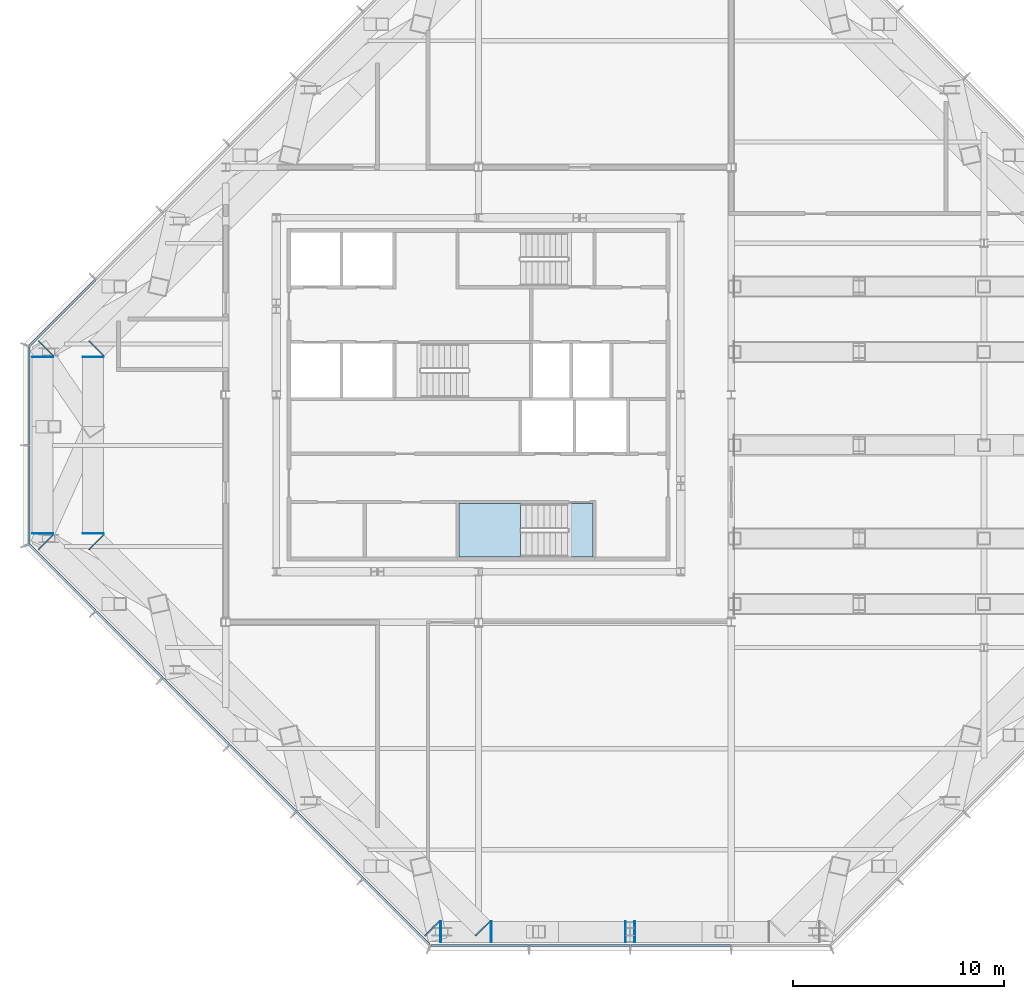
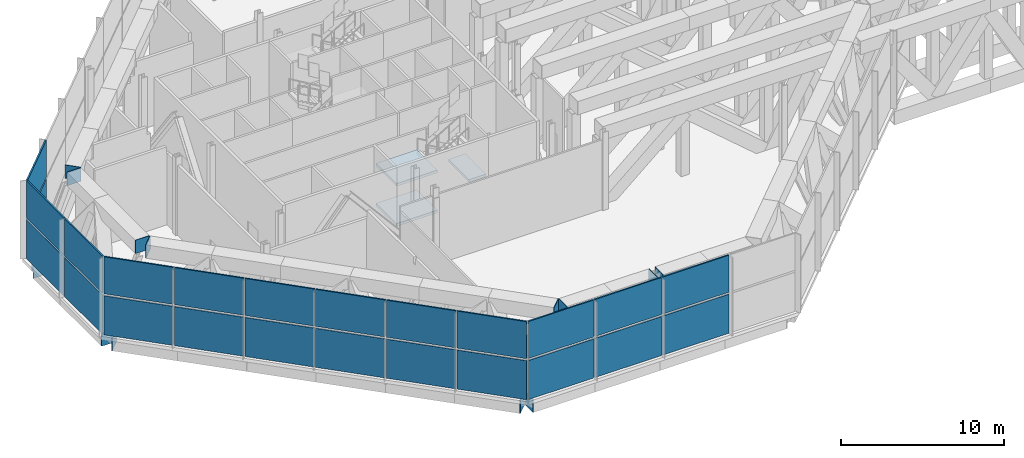
# One storey, part 10 of 18: 38 plates, 3 slabs, 5 elements without a shape of their own.
"""IFC4 building model written with IfcOpenShell, lengths in metres."""

import ifcopenshell
import ifcopenshell.guid

model = None  # the IFC model being written
_history = None  # IfcOwnerHistory: only IFC2X3 demands one
_inside = {}  # id of a spatial element -> (the spatial element, [elements in it])
_under = {}  # id of a project, library or spatial element -> (it, [spatial elements below it])
_declared = {}  # id of a project -> (the project, [libraries it declares])
_typed = {}  # id of a type object -> (the type object, [elements of that type])
_made_of = {}  # id of a material, layer set ... -> (it, [elements and type objects made of it])


def new_model(schema):
    """Start an empty IFC model of exactly this schema.

    Asked for "IFC4X3", IfcOpenShell would pick the latest addendum, in which some entities
    have other attributes; the version numbers below select the first issue.
    IFC2X3 requires an IfcOwnerHistory on every rooted entity: one is made here for all.
    """
    global model, _history
    if schema == "IFC4X3":
        model = ifcopenshell.file(schema_version=(4, 3, 0, 0))
    else:
        model = ifcopenshell.file(schema=schema)
    _inside.clear()
    _under.clear()
    _declared.clear()
    _typed.clear()
    _made_of.clear()
    _history = None
    if model.schema == "IFC2X3":
        org = make("IfcOrganization", Name="unknown")
        user = make(
            "IfcPersonAndOrganization",
            ThePerson=make("IfcPerson", FamilyName="unknown"),
            TheOrganization=org,
        )
        app = make(
            "IfcApplication",
            ApplicationDeveloper=org,
            Version="unknown",
            ApplicationFullName="unknown",
            ApplicationIdentifier="unknown",
        )
        _history = make(
            "IfcOwnerHistory",
            OwningUser=user,
            OwningApplication=app,
            ChangeAction="ADDED",
            CreationDate=0,
        )
    return model


def make(cls, **values):
    """One entity of the class cls with the attributes given. An attribute that is None is left unset."""
    return model.create_entity(
        cls, **{name: value for name, value in values.items() if value is not None}
    )


def rooted(cls, **values):
    """An entity with a GlobalId (a new one), such as an element, a storey or a relation."""
    return make(cls, GlobalId=ifcopenshell.guid.new(), OwnerHistory=_history, **values)


def si_unit(unit_type, name, prefix=None):
    """IfcSIUnit, for example si_unit("LENGTHUNIT", "METRE", prefix="MILLI")."""
    return make("IfcSIUnit", UnitType=unit_type, Prefix=prefix, Name=name)


def assignment(units):
    """IfcUnitAssignment: the units of a project."""
    return None if units is None else make("IfcUnitAssignment", Units=units)


def point(xyz):
    """IfcCartesianPoint."""
    return None if xyz is None else make("IfcCartesianPoint", Coordinates=xyz)


def direction(xyz):
    """IfcDirection."""
    return None if xyz is None else make("IfcDirection", DirectionRatios=xyz)


def frame(location, z_axis=None, x_axis=None):
    """IfcAxis2Placement3D, a coordinate frame: its origin and axes. An axis left out is left unset."""
    return make(
        "IfcAxis2Placement3D",
        Location=point(location),
        Axis=direction(z_axis),
        RefDirection=direction(x_axis),
    )


def frame_2d(location, x_axis=None):
    """IfcAxis2Placement2D, a coordinate frame in the plane: its origin and x axis."""
    return make(
        "IfcAxis2Placement2D", Location=point(location), RefDirection=direction(x_axis)
    )


def origin():
    """The frame at (0, 0, 0) with its axes left unset."""
    return frame((0.0, 0.0, 0.0))


def origin_2d():
    """The frame at (0, 0) in the plane with its x axis left unset."""
    return frame_2d((0.0, 0.0))


def place(relative_to, where):
    """IfcLocalPlacement: puts the frame where relative to a parent placement (None: the world)."""
    return make(
        "IfcLocalPlacement", PlacementRelTo=relative_to, RelativePlacement=where
    )


def context(
    kind, dimensions, precision=None, world=None, true_north=None, identifier=None
):
    """IfcGeometricRepresentationContext, for example the 3D "Model" context."""
    return make(
        "IfcGeometricRepresentationContext",
        ContextIdentifier=identifier,
        ContextType=kind,
        CoordinateSpaceDimension=dimensions,
        Precision=precision,
        WorldCoordinateSystem=world,
        TrueNorth=true_north,
    )


def subcontext(parent, identifier, kind, view, scale=None):
    """IfcGeometricRepresentationSubContext, for example "Body" below "Model"."""
    return make(
        "IfcGeometricRepresentationSubContext",
        ContextIdentifier=identifier,
        ContextType=kind,
        ParentContext=parent,
        TargetScale=scale,
        TargetView=view,
    )


def project(units=None, contexts=None):
    """IfcProject with its units and contexts."""
    return rooted(
        "IfcProject",
        Name="project",
        RepresentationContexts=contexts,
        UnitsInContext=assignment(units),
    )


def spatial(cls, under=None, at=None, **own):
    """A site, building, storey or space (cls), placed at a placement, below another one or the project."""
    s = rooted(cls, ObjectPlacement=at, **own)
    if under is not None:
        _under.setdefault(under.id(), (under, []))[1].append(s)
    return s


def polyline(points):
    """IfcPolyline through the points."""
    return make("IfcPolyline", Points=[point(p) for p in points])


def profile(cls, at=None, kind="AREA", **sizes):
    """A parametric profile (cls). Its sizes go by their IFC names, for example OverallWidth=200.0."""
    return make(cls, ProfileType=kind, Position=at, **sizes)


def rectangle(**sizes):
    """IfcRectangleProfileDef."""
    return profile("IfcRectangleProfileDef", **sizes)


def outline(outer, holes=None, kind="AREA"):
    """IfcArbitraryClosedProfileDef: a profile drawn as a closed curve; with holes, ...WithVoids."""
    if holes is None:
        return make("IfcArbitraryClosedProfileDef", ProfileType=kind, OuterCurve=outer)
    return make(
        "IfcArbitraryProfileDefWithVoids",
        ProfileType=kind,
        OuterCurve=outer,
        InnerCurves=holes,
    )


def extrude(swept, where, along, depth):
    """IfcExtrudedAreaSolid: the profile swept, set in the frame where, extruded along a direction by depth."""
    return make(
        "IfcExtrudedAreaSolid",
        SweptArea=swept,
        Position=where,
        ExtrudedDirection=direction(along),
        Depth=depth,
    )


def shape(context_of_items, identifier, shape_type, items):
    """IfcShapeRepresentation: the items that make up one representation, for example the "Body"."""
    return make(
        "IfcShapeRepresentation",
        ContextOfItems=context_of_items,
        RepresentationIdentifier=identifier,
        RepresentationType=shape_type,
        Items=items,
    )


def material(Name=None, Category=None):
    """IfcMaterial."""
    return make("IfcMaterial", Name=Name, Category=Category)


def layer(
    of_material, thickness, ventilated=None, Name=None, Category=None, Priority=None
):
    """IfcMaterialLayer: one layer of a wall or slab, of a material (None: an air gap)."""
    return make(
        "IfcMaterialLayer",
        Material=of_material,
        LayerThickness=thickness,
        IsVentilated=ventilated,
        Name=Name,
        Category=Category,
        Priority=Priority,
    )


def layer_set(layers, Name=None):
    """IfcMaterialLayerSet."""
    return make("IfcMaterialLayerSet", MaterialLayers=layers, LayerSetName=Name)


def material_profile(
    of_material, cross_section, Name=None, Category=None, Priority=None
):
    """IfcMaterialProfile: a cross section and its material."""
    return make(
        "IfcMaterialProfile",
        Name=Name,
        Material=of_material,
        Profile=cross_section,
        Priority=Priority,
        Category=Category,
    )


def profile_set(profiles, Name=None, composite=None):
    """IfcMaterialProfileSet."""
    return make(
        "IfcMaterialProfileSet",
        Name=Name,
        MaterialProfiles=profiles,
        CompositeProfile=composite,
    )


def made_of(thing, what):
    """Note that an element or type object is made of a material, layer set ...; save() writes the relation."""
    if what is not None:
        _made_of.setdefault(what.id(), (what, []))[1].append(thing)
    return thing


def type_object(cls, material=None, **own):
    """A type object (cls), such as IfcWallType, which elements share."""
    return made_of(rooted(cls, **own), material)


def element(
    cls,
    number,
    at=None,
    inside=None,
    cuts=None,
    type_object=None,
    material=None,
    context=None,
    identifier="Body",
    shape_type=None,
    held_by="IfcProductDefinitionShape",
    body=None,
    shapes=None,
    **own,
):
    """One element of the class cls, such as IfcWall. Its Tag is "e" and its number.

    at: its placement. inside: the storey or other place that contains it. cuts: it is an
    opening in that element (IfcRelVoidsElement). A single representation is given by context,
    identifier, shape_type and body (its items); several are given by shapes. held_by: the class
    of the entity that holds the representations. save() writes the other relations.
    """
    e = rooted(cls, Tag="e%d" % number, ObjectPlacement=at, **own)
    if body is not None:
        shapes = [shape(context, identifier, shape_type, body)]
    if shapes is not None:
        e.Representation = make(held_by, Representations=shapes)
    if inside is not None:
        _inside.setdefault(inside.id(), (inside, []))[1].append(e)
    if cuts is not None:
        rooted(
            "IfcRelVoidsElement", RelatingBuildingElement=cuts, RelatedOpeningElement=e
        )
    if type_object is not None:
        _typed.setdefault(type_object.id(), (type_object, []))[1].append(e)
    return made_of(e, material)


def aggregate(whole, parts):
    """IfcRelAggregates: a whole, such as a stair, and the parts it consists of."""
    return rooted("IfcRelAggregates", RelatingObject=whole, RelatedObjects=parts)


def save(model, path):
    """Write the relations noted so far, then the file.

    IfcRelAggregates (storeys below a building ...), IfcRelContainedInSpatialStructure (elements
    in a storey), IfcRelDefinesByType, IfcRelAssociatesMaterial and IfcRelDeclares: one each for
    every whole, place, type object, material and project.
    """
    for whole, parts in _under.values():
        aggregate(whole, parts)
    for where, things in _inside.values():
        rooted(
            "IfcRelContainedInSpatialStructure",
            RelatedElements=things,
            RelatingStructure=where,
        )
    for kind, things in _typed.values():
        rooted("IfcRelDefinesByType", RelatedObjects=things, RelatingType=kind)
    for what, things in _made_of.values():
        rooted("IfcRelAssociatesMaterial", RelatedObjects=things, RelatingMaterial=what)
    for by, libraries in _declared.values():
        rooted("IfcRelDeclares", RelatingContext=by, RelatedDefinitions=libraries)
    model.write(path)


model = new_model("IFC4")

# Units and contexts
model_context = context("Model", 3, precision=1e-05, world=origin(), true_north=direction((0.0, 1.0)))
body_context = subcontext(model_context, "Body", "Model", "MODEL_VIEW")
ifc_project = project(units=[si_unit("LENGTHUNIT", "METRE"), si_unit("AREAUNIT", "SQUARE_METRE"), si_unit("VOLUMEUNIT", "CUBIC_METRE"), si_unit("PLANEANGLEUNIT", "RADIAN"), si_unit("MASSUNIT", "GRAM", prefix="KILO")], contexts=[model_context])

# Site, building, storey
site_placement = place(None, origin())
site = spatial("IfcSite", under=ifc_project, at=site_placement, CompositionType="ELEMENT")
building_placement = place(site_placement, origin())
building = spatial("IfcBuilding", under=site, at=building_placement, Name="Cairn Pilgrim Tower", CompositionType="ELEMENT")
storey_placement = place(building_placement, frame((0.0, 0.0, 261.0)))
storey = spatial("IfcBuildingStorey", under=building, at=storey_placement, Name="L67", CompositionType="ELEMENT", Elevation=261.0)

# Plates
ifc_material_1 = material(Name="Structural steel S460M", Category="steel")
ifc_material_profile = material_profile(ifc_material_1, rectangle(XDim=1.0, YDim=1.0, at=origin_2d()), Name="END PLATE BOX 1000x1000x60")
ifc_profile_set = profile_set([ifc_material_profile], Name="Structural steel S460M")
plate_type_1 = type_object("IfcPlateType", Name="END PLATE BOX 1000x1000x60", PredefinedType="SHEET", material=ifc_profile_set)
for number, where, z_axis, x_axis, name in (
    (1, (5.429931640625, -23.10009765625, -0.75), (-1.0, 0.0, 0.0), (0.0, -1.0, 0.0), "EP-BT67-S-BC1-A"),
    (2, (7.829833984375, -23.10009765625, 5.35009765625), (-1.0, 0.0, 0.0), (0.0, -1.0, 0.0), "EP-BT67-S-TC1-A"),
    (3, (14.160400390625, -23.10009765625, 5.35009765625), (1.0, 0.0, 0.0), (0.0, 1.0, 0.0), "EP-BT67-S-TC2-B"),
):
    element("IfcPlate", number, at=place(storey_placement, frame(where, z_axis=z_axis, x_axis=x_axis)), inside=storey, type_object=plate_type_1, Name=name, PredefinedType="SHEET", context=body_context, shape_type="SweptSolid", body=[
        extrude(rectangle(XDim=1.0, YDim=1.0, at=origin_2d()), origin(), (0.0, 0.0, 1.0), 0.0400390625),
    ])
for number, where, z_axis, x_axis, name in (
    (4, (14.639404296875, -23.10009765625, 5.35009765625), (-1.0, 0.0, 0.0), (0.0, -1.0, 0.0), "EP-BT67-S-TC3-A"),
    (5, (-13.318115234375, 4.60888671875, -0.75), (-0.710161195225, -0.704039115956, 0.0), (0.704039115956, -0.710161195225, 0.0), "EP-BT67-NW-BC6-B"),
    (6, (-10.918212890625, 4.60888671875, 5.35009765625), (-0.710161195225, -0.704039115956, 0.0), (0.704039115956, -0.710161195225, 0.0), "EP-BT67-NW-TC6-B"),
):
    element("IfcPlate", number, at=place(storey_placement, frame(where, z_axis=z_axis, x_axis=x_axis)), inside=storey, type_object=plate_type_1, Name=name, PredefinedType="SHEET", context=body_context, shape_type="SweptSolid", body=[
        extrude(rectangle(XDim=1.0, YDim=1.0, at=origin_2d()), origin(), (0.0, 0.0, 1.0), 0.039794921875),
    ])
for number, where, z_axis, x_axis, name in (
    (7, (-13.5, 4.170166015625, -0.75), (0.0, 1.0, 0.0), (-1.0, 0.0, 0.0), "EP-BT67-W-BC1-A"),
    (8, (-11.10009765625, 4.170166015625, 5.35009765625), (0.0, 1.0, 0.0), (-1.0, 0.0, 0.0), "EP-BT67-W-TC1-A"),
    (9, (-13.5, -4.170166015625, -0.75), (0.0, -1.0, 0.0), (1.0, 0.0, 0.0), "EP-BT67-W-BC2-B"),
    (10, (-11.10009765625, -4.170166015625, 5.35009765625), (0.0, -1.0, 0.0), (1.0, 0.0, 0.0), "EP-BT67-W-TC2-B"),
):
    element("IfcPlate", number, at=place(storey_placement, frame(where, z_axis=z_axis, x_axis=x_axis)), inside=storey, type_object=plate_type_1, Name=name, PredefinedType="SHEET", context=body_context, shape_type="SweptSolid", body=[
        extrude(rectangle(XDim=1.0, YDim=1.0, at=origin_2d()), origin(), (0.0, 0.0, 1.0), 0.0400390625),
    ])
for number, where, z_axis, x_axis, name in (
    (11, (-13.318115234375, -4.60888671875, -0.75), (-0.710161195225, 0.704039115956, 0.0), (-0.704039115956, -0.710161195225, 0.0), "EP-BT67-SW-BC1-A"),
    (12, (-10.918212890625, -4.60888671875, 5.35009765625), (-0.710161195225, 0.704039115956, 0.0), (-0.704039115956, -0.710161195225, 0.0), "EP-BT67-SW-TC1-A"),
):
    element("IfcPlate", number, at=place(storey_placement, frame(where, z_axis=z_axis, x_axis=x_axis)), inside=storey, type_object=plate_type_1, Name=name, PredefinedType="SHEET", context=body_context, shape_type="SweptSolid", body=[
        extrude(rectangle(XDim=1.0, YDim=1.0, at=origin_2d()), origin(), (0.0, 0.0, 1.0), 0.039794921875),
    ])
plate_1_placement = place(storey_placement, frame((4.990966796875, -22.918212890625, -0.75), z_axis=(0.707106781187, -0.707106781187, 0.0), x_axis=(0.707106781187, 0.707106781187, 0.0)))
element("IfcPlate", 13, at=plate_1_placement, inside=storey, type_object=plate_type_1, Name="EP-BT67-SW-BC6-B", PredefinedType="SHEET", context=body_context, shape_type="SweptSolid", body=[
    extrude(rectangle(XDim=1.0, YDim=1.0, at=origin_2d()), origin(), (0.0, 0.0, 1.0), 0.0400390625),
])
plate_2_placement = place(storey_placement, frame((7.39111328125, -22.918212890625, 5.35009765625), z_axis=(0.704039115956, -0.710161195225, 0.0), x_axis=(0.710161195225, 0.704039115956, 0.0)))
element("IfcPlate", 14, at=plate_2_placement, inside=storey, type_object=plate_type_1, Name="EP-BT67-SW-TC6-B", PredefinedType="SHEET", context=body_context, shape_type="SweptSolid", body=[
    extrude(rectangle(XDim=1.0, YDim=1.0, at=origin_2d()), origin(), (0.0, 0.0, 1.0), 0.039794921875),
])

# Curtain wall, plate
ifc_material_2 = material(Name="Aluminium alloy 6063-T6 bronze anodised with Bronze tinted laminated low-E glass 8+16+8.8", Category="aluminium")
curtain_wall_type = type_object("IfcCurtainWallType", Name="PLANT LOUVRE CURTAIN WALL", PredefinedType="NOTDEFINED", material=ifc_material_2)
curtain_wall_1_placement = place(storey_placement, origin())
curtain_wall_1 = element("IfcCurtainWall", 15, at=curtain_wall_1_placement, inside=storey, type_object=curtain_wall_type, Name="Plant Louvre Curtain Wall NW", PredefinedType="NOTDEFINED")
ifc_material_3 = material(Name="Bronze anodised aluminium louvre blades", Category="aluminium")
ifc_layer_1 = layer(ifc_material_3, 0.10009765625)
ifc_layer_set_1 = layer_set([ifc_layer_1], Name="LOUVRE PANEL 4421x2775")
plate_type_2 = type_object("IfcPlateType", Name="LOUVRE PANEL 4421x2775", PredefinedType="CURTAIN_PANEL", material=ifc_layer_set_1)
plate_3_placement = place(storey_placement, frame((-12.55859375, 6.287841796875, 3.074951171875), z_axis=(0.0, 0.0, 1.0), x_axis=(-0.707106781187, -0.707106781187, 0.0)))
plate_3 = element("IfcPlate", 16, at=plate_3_placement, type_object=plate_type_2, Name="Louvre Panel NW6-2", PredefinedType="CURTAIN_PANEL", context=body_context, shape_type="SweptSolid", body=[
    extrude(rectangle(XDim=4.4208984375, YDim=0.10009765625, at=origin_2d()), origin(), (0.0, 0.0, 1.0), 2.77490234375),
])

# Curtain wall, plates
curtain_wall_2_placement = place(storey_placement, origin())
curtain_wall_2 = element("IfcCurtainWall", 17, at=curtain_wall_2_placement, inside=storey, type_object=curtain_wall_type, Name="Plant Louvre Curtain Wall SW", PredefinedType="NOTDEFINED")
plate_4_placement = place(storey_placement, frame((-12.55859375, -6.287841796875, 3.074951171875), z_axis=(0.0, 0.0, 1.0), x_axis=(0.707106781187, -0.707106781187, 0.0)))
plate_4 = element("IfcPlate", 18, at=plate_4_placement, type_object=plate_type_2, Name="Louvre Panel SW1-2", PredefinedType="CURTAIN_PANEL", context=body_context, shape_type="SweptSolid", body=[
    extrude(rectangle(XDim=4.4208984375, YDim=0.10009765625, at=origin_2d()), origin(), (0.0, 0.0, 1.0), 2.77490234375),
])
plate_5_placement = place(storey_placement, frame((3.312255859375, -22.15869140625, 3.074951171875), z_axis=(0.0, 0.0, 1.0), x_axis=(0.707106781187, -0.707106781187, 0.0)))
plate_5 = element("IfcPlate", 19, at=plate_5_placement, type_object=plate_type_2, Name="Louvre Panel SW6-2", PredefinedType="CURTAIN_PANEL", context=body_context, shape_type="SweptSolid", body=[
    extrude(rectangle(XDim=4.4208984375, YDim=0.10009765625, at=origin_2d()), origin(), (0.0, 0.0, 1.0), 2.77490234375),
])

# Plate
ifc_layer_2 = layer(ifc_material_3, 0.10009765625)
ifc_layer_set_2 = layer_set([ifc_layer_2], Name="LOUVRE PANEL 4421x2925")
plate_type_3 = type_object("IfcPlateType", Name="LOUVRE PANEL 4421x2925", PredefinedType="CURTAIN_PANEL", material=ifc_layer_set_2)
plate_6_placement = place(storey_placement, frame((-12.55859375, 6.287841796875, 0.0), z_axis=(0.0, 0.0, 1.0), x_axis=(-0.707106781187, -0.707106781187, 0.0)))
plate_6 = element("IfcPlate", 20, at=plate_6_placement, type_object=plate_type_3, Name="Louvre Panel NW6-1", PredefinedType="CURTAIN_PANEL", context=body_context, shape_type="SweptSolid", body=[
    extrude(rectangle(XDim=4.4208984375, YDim=0.10009765625, at=origin_2d()), origin(), (0.0, 0.0, 1.0), 2.925048828125),
])

aggregate(curtain_wall_1, [plate_6, plate_3])

plate_7_placement = place(storey_placement, frame((-12.55859375, -6.287841796875, 0.0), z_axis=(0.0, 0.0, 1.0), x_axis=(0.707106781187, -0.707106781187, 0.0)))
plate_7 = element("IfcPlate", 21, at=plate_7_placement, type_object=plate_type_3, Name="Louvre Panel SW1-1", PredefinedType="CURTAIN_PANEL", context=body_context, shape_type="SweptSolid", body=[
    extrude(rectangle(XDim=4.4208984375, YDim=0.10009765625, at=origin_2d()), origin(), (0.0, 0.0, 1.0), 2.925048828125),
])

plate_8_placement = place(storey_placement, frame((3.312255859375, -22.15869140625, 0.0), z_axis=(0.0, 0.0, 1.0), x_axis=(0.707106781187, -0.707106781187, 0.0)))
plate_8 = element("IfcPlate", 22, at=plate_8_placement, type_object=plate_type_3, Name="Louvre Panel SW6-1", PredefinedType="CURTAIN_PANEL", context=body_context, shape_type="SweptSolid", body=[
    extrude(rectangle(XDim=4.4208984375, YDim=0.10009765625, at=origin_2d()), origin(), (0.0, 0.0, 1.0), 2.925048828125),
])

ifc_layer_3 = layer(ifc_material_3, 0.10009765625)
ifc_layer_set_3 = layer_set([ifc_layer_3], Name="LOUVRE PANEL 4431x2775")
plate_type_4 = type_object("IfcPlateType", Name="LOUVRE PANEL 4431x2775", PredefinedType="CURTAIN_PANEL", material=ifc_layer_set_3)
plate_9_placement = place(storey_placement, frame((-9.38671875, -9.459716796875, 3.074951171875), z_axis=(0.0, 0.0, 1.0), x_axis=(0.707106781187, -0.707106781187, 0.0)))
plate_9 = element("IfcPlate", 23, at=plate_9_placement, type_object=plate_type_4, Name="Louvre Panel SW2-2", PredefinedType="CURTAIN_PANEL", context=body_context, shape_type="SweptSolid", body=[
    extrude(rectangle(XDim=4.430908203125, YDim=0.10009765625, at=origin_2d()), origin(), (0.0, 0.0, 1.0), 2.77490234375),
])

plate_10_placement = place(storey_placement, frame((-6.2109375, -12.635498046875, 3.074951171875), z_axis=(0.0, 0.0, 1.0), x_axis=(0.707106781187, -0.707106781187, 0.0)))
plate_10 = element("IfcPlate", 24, at=plate_10_placement, type_object=plate_type_4, Name="Louvre Panel SW3-2", PredefinedType="CURTAIN_PANEL", context=body_context, shape_type="SweptSolid", body=[
    extrude(rectangle(XDim=4.430908203125, YDim=0.10009765625, at=origin_2d()), origin(), (0.0, 0.0, 1.0), 2.77490234375),
])

plate_11_placement = place(storey_placement, frame((-3.035400390625, -15.81103515625, 3.074951171875), z_axis=(0.0, 0.0, 1.0), x_axis=(0.707106781187, -0.707106781187, 0.0)))
plate_11 = element("IfcPlate", 25, at=plate_11_placement, type_object=plate_type_4, Name="Louvre Panel SW4-2", PredefinedType="CURTAIN_PANEL", context=body_context, shape_type="SweptSolid", body=[
    extrude(rectangle(XDim=4.430908203125, YDim=0.10009765625, at=origin_2d()), origin(), (0.0, 0.0, 1.0), 2.77490234375),
])

plate_12_placement = place(storey_placement, frame((0.14013671875, -18.986572265625, 3.074951171875), z_axis=(0.0, 0.0, 1.0), x_axis=(0.707106781187, -0.707106781187, 0.0)))
plate_12 = element("IfcPlate", 26, at=plate_12_placement, type_object=plate_type_4, Name="Louvre Panel SW5-2", PredefinedType="CURTAIN_PANEL", context=body_context, shape_type="SweptSolid", body=[
    extrude(rectangle(XDim=4.430908203125, YDim=0.10009765625, at=origin_2d()), origin(), (0.0, 0.0, 1.0), 2.77490234375),
])

ifc_layer_4 = layer(ifc_material_3, 0.10009765625)
ifc_layer_set_4 = layer_set([ifc_layer_4], Name="LOUVRE PANEL 4431x2925")
plate_type_5 = type_object("IfcPlateType", Name="LOUVRE PANEL 4431x2925", PredefinedType="CURTAIN_PANEL", material=ifc_layer_set_4)
plate_13_placement = place(storey_placement, frame((-9.38671875, -9.459716796875, 0.0), z_axis=(0.0, 0.0, 1.0), x_axis=(0.707106781187, -0.707106781187, 0.0)))
plate_13 = element("IfcPlate", 27, at=plate_13_placement, type_object=plate_type_5, Name="Louvre Panel SW2-1", PredefinedType="CURTAIN_PANEL", context=body_context, shape_type="SweptSolid", body=[
    extrude(rectangle(XDim=4.430908203125, YDim=0.10009765625, at=origin_2d()), origin(), (0.0, 0.0, 1.0), 2.925048828125),
])

plate_14_placement = place(storey_placement, frame((-6.2109375, -12.635498046875, 0.0), z_axis=(0.0, 0.0, 1.0), x_axis=(0.707106781187, -0.707106781187, 0.0)))
plate_14 = element("IfcPlate", 28, at=plate_14_placement, type_object=plate_type_5, Name="Louvre Panel SW3-1", PredefinedType="CURTAIN_PANEL", context=body_context, shape_type="SweptSolid", body=[
    extrude(rectangle(XDim=4.430908203125, YDim=0.10009765625, at=origin_2d()), origin(), (0.0, 0.0, 1.0), 2.925048828125),
])

plate_15_placement = place(storey_placement, frame((-3.035400390625, -15.81103515625, 0.0), z_axis=(0.0, 0.0, 1.0), x_axis=(0.707106781187, -0.707106781187, 0.0)))
plate_15 = element("IfcPlate", 29, at=plate_15_placement, type_object=plate_type_5, Name="Louvre Panel SW4-1", PredefinedType="CURTAIN_PANEL", context=body_context, shape_type="SweptSolid", body=[
    extrude(rectangle(XDim=4.430908203125, YDim=0.10009765625, at=origin_2d()), origin(), (0.0, 0.0, 1.0), 2.925048828125),
])

plate_16_placement = place(storey_placement, frame((0.14013671875, -18.986572265625, 0.0), z_axis=(0.0, 0.0, 1.0), x_axis=(0.707106781187, -0.707106781187, 0.0)))
plate_16 = element("IfcPlate", 30, at=plate_16_placement, type_object=plate_type_5, Name="Louvre Panel SW5-1", PredefinedType="CURTAIN_PANEL", context=body_context, shape_type="SweptSolid", body=[
    extrude(rectangle(XDim=4.430908203125, YDim=0.10009765625, at=origin_2d()), origin(), (0.0, 0.0, 1.0), 2.925048828125),
])

aggregate(curtain_wall_2, [plate_7, plate_4, plate_13, plate_9, plate_14, plate_10, plate_15, plate_11, plate_16, plate_12, plate_8, plate_5])

# Curtain wall, plate
curtain_wall_3_placement = place(storey_placement, origin())
curtain_wall_3 = element("IfcCurtainWall", 31, at=curtain_wall_3_placement, inside=storey, type_object=curtain_wall_type, Name="Plant Louvre Curtain Wall S", PredefinedType="NOTDEFINED")
ifc_layer_5 = layer(ifc_material_3, 0.10009765625)
ifc_layer_set_5 = layer_set([ifc_layer_5], Name="LOUVRE PANEL 4626x2775")
plate_type_6 = type_object("IfcPlateType", Name="LOUVRE PANEL 4626x2775", PredefinedType="CURTAIN_PANEL", material=ifc_layer_set_5)
plate_17_placement = place(storey_placement, frame((7.2568359375, -23.75, 3.074951171875), z_axis=(0.0, 0.0, 1.0), x_axis=(1.0, 0.0, 0.0)))
plate_17 = element("IfcPlate", 32, at=plate_17_placement, type_object=plate_type_6, Name="Louvre Panel S1-2", PredefinedType="CURTAIN_PANEL", context=body_context, shape_type="SweptSolid", body=[
    extrude(rectangle(XDim=4.62646484375, YDim=0.10009765625, at=origin_2d()), origin(), (0.0, 0.0, 1.0), 2.77490234375),
])

# Curtain wall, plates
curtain_wall_4_placement = place(storey_placement, origin())
curtain_wall_4 = element("IfcCurtainWall", 33, at=curtain_wall_4_placement, inside=storey, type_object=curtain_wall_type, Name="Plant Louvre Curtain Wall W", PredefinedType="NOTDEFINED")
plate_18_placement = place(storey_placement, frame((-14.14990234375, 2.34326171875, 3.074951171875), z_axis=(0.0, 0.0, 1.0), x_axis=(0.0, -1.0, 0.0)))
plate_18 = element("IfcPlate", 34, at=plate_18_placement, type_object=plate_type_6, Name="Louvre Panel W1-2", PredefinedType="CURTAIN_PANEL", context=body_context, shape_type="SweptSolid", body=[
    extrude(rectangle(XDim=4.62646484375, YDim=0.10009765625, at=origin_2d()), origin(), (0.0, 0.0, 1.0), 2.77490234375),
])
plate_19_placement = place(storey_placement, frame((-14.14990234375, -2.34326171875, 3.074951171875), z_axis=(0.0, 0.0, 1.0), x_axis=(0.0, -1.0, 0.0)))
plate_19 = element("IfcPlate", 35, at=plate_19_placement, type_object=plate_type_6, Name="Louvre Panel W2-2", PredefinedType="CURTAIN_PANEL", context=body_context, shape_type="SweptSolid", body=[
    extrude(rectangle(XDim=4.62646484375, YDim=0.10009765625, at=origin_2d()), origin(), (0.0, 0.0, 1.0), 2.77490234375),
])

# Plate
ifc_layer_6 = layer(ifc_material_3, 0.10009765625)
ifc_layer_set_6 = layer_set([ifc_layer_6], Name="LOUVRE PANEL 4626x2925")
plate_type_7 = type_object("IfcPlateType", Name="LOUVRE PANEL 4626x2925", PredefinedType="CURTAIN_PANEL", material=ifc_layer_set_6)
plate_20_placement = place(storey_placement, frame((7.2568359375, -23.75, 0.0), z_axis=(0.0, 0.0, 1.0), x_axis=(1.0, 0.0, 0.0)))
plate_20 = element("IfcPlate", 36, at=plate_20_placement, type_object=plate_type_7, Name="Louvre Panel S1-1", PredefinedType="CURTAIN_PANEL", context=body_context, shape_type="SweptSolid", body=[
    extrude(rectangle(XDim=4.62646484375, YDim=0.10009765625, at=origin_2d()), origin(), (0.0, 0.0, 1.0), 2.925048828125),
])

plate_21_placement = place(storey_placement, frame((-14.14990234375, 2.34326171875, 0.0), z_axis=(0.0, 0.0, 1.0), x_axis=(0.0, -1.0, 0.0)))
plate_21 = element("IfcPlate", 37, at=plate_21_placement, type_object=plate_type_7, Name="Louvre Panel W1-1", PredefinedType="CURTAIN_PANEL", context=body_context, shape_type="SweptSolid", body=[
    extrude(rectangle(XDim=4.62646484375, YDim=0.10009765625, at=origin_2d()), origin(), (0.0, 0.0, 1.0), 2.925048828125),
])

plate_22_placement = place(storey_placement, frame((-14.14990234375, -2.34326171875, 0.0), z_axis=(0.0, 0.0, 1.0), x_axis=(0.0, -1.0, 0.0)))
plate_22 = element("IfcPlate", 38, at=plate_22_placement, type_object=plate_type_7, Name="Louvre Panel W2-1", PredefinedType="CURTAIN_PANEL", context=body_context, shape_type="SweptSolid", body=[
    extrude(rectangle(XDim=4.62646484375, YDim=0.10009765625, at=origin_2d()), origin(), (0.0, 0.0, 1.0), 2.925048828125),
])

aggregate(curtain_wall_4, [plate_21, plate_18, plate_22, plate_19])

ifc_layer_7 = layer(ifc_material_3, 0.10009765625)
ifc_layer_set_7 = layer_set([ifc_layer_7], Name="LOUVRE PANEL 4740x2775")
plate_type_8 = type_object("IfcPlateType", Name="LOUVRE PANEL 4740x2775", PredefinedType="CURTAIN_PANEL", material=ifc_layer_set_7)
plate_23_placement = place(storey_placement, frame((12.0, -23.75, 3.074951171875), z_axis=(0.0, 0.0, 1.0), x_axis=(1.0, 0.0, 0.0)))
plate_23 = element("IfcPlate", 39, at=plate_23_placement, type_object=plate_type_8, Name="Louvre Panel S2-2", PredefinedType="CURTAIN_PANEL", context=body_context, shape_type="SweptSolid", body=[
    extrude(rectangle(XDim=4.739990234375, YDim=0.10009765625, at=origin_2d()), origin(), (0.0, 0.0, 1.0), 2.77490234375),
])

plate_24_placement = place(storey_placement, frame((16.800048828125, -23.75, 3.074951171875), z_axis=(0.0, 0.0, 1.0), x_axis=(1.0, 0.0, 0.0)))
plate_24 = element("IfcPlate", 40, at=plate_24_placement, type_object=plate_type_8, Name="Louvre Panel S3-2", PredefinedType="CURTAIN_PANEL", context=body_context, shape_type="SweptSolid", body=[
    extrude(rectangle(XDim=4.739990234375, YDim=0.10009765625, at=origin_2d()), origin(), (0.0, 0.0, 1.0), 2.77490234375),
])

ifc_layer_8 = layer(ifc_material_3, 0.10009765625)
ifc_layer_set_8 = layer_set([ifc_layer_8], Name="LOUVRE PANEL 4740x2925")
plate_type_9 = type_object("IfcPlateType", Name="LOUVRE PANEL 4740x2925", PredefinedType="CURTAIN_PANEL", material=ifc_layer_set_8)
plate_25_placement = place(storey_placement, frame((12.0, -23.75, 0.0), z_axis=(0.0, 0.0, 1.0), x_axis=(1.0, 0.0, 0.0)))
plate_25 = element("IfcPlate", 41, at=plate_25_placement, type_object=plate_type_9, Name="Louvre Panel S2-1", PredefinedType="CURTAIN_PANEL", context=body_context, shape_type="SweptSolid", body=[
    extrude(rectangle(XDim=4.739990234375, YDim=0.10009765625, at=origin_2d()), origin(), (0.0, 0.0, 1.0), 2.925048828125),
])

plate_26_placement = place(storey_placement, frame((16.800048828125, -23.75, 0.0), z_axis=(0.0, 0.0, 1.0), x_axis=(1.0, 0.0, 0.0)))
plate_26 = element("IfcPlate", 42, at=plate_26_placement, type_object=plate_type_9, Name="Louvre Panel S3-1", PredefinedType="CURTAIN_PANEL", context=body_context, shape_type="SweptSolid", body=[
    extrude(rectangle(XDim=4.739990234375, YDim=0.10009765625, at=origin_2d()), origin(), (0.0, 0.0, 1.0), 2.925048828125),
])

aggregate(curtain_wall_3, [plate_20, plate_17, plate_25, plate_23, plate_26, plate_24])

# Stair, slabs
ifc_material_4 = material(Name="Concrete C32/40", Category="concrete")
stair_type = type_object("IfcStairType", Name="EXIT STAIR 1200", PredefinedType="HALF_TURN_STAIR", material=ifc_material_4)
stair_placement = place(storey_placement, origin())
stair = element("IfcStair", 43, at=stair_placement, inside=storey, type_object=stair_type, Name="L67 Exit Stair A", PredefinedType="HALF_TURN_STAIR")
ifc_layer_9 = layer(ifc_material_4, 0.199951171875)
ifc_layer_set_9 = layer_set([ifc_layer_9], Name="STAIR LANDING 200")
slab_type = type_object("IfcSlabType", Name="STAIR LANDING 200", PredefinedType="LANDING", material=ifc_layer_set_9)
slab_1_placement = place(storey_placement, frame((0.0, 0.0, 1.300048828125)))
slab_1 = element("IfcSlab", 44, at=slab_1_placement, type_object=slab_type, Name="ST-A landing 1", PredefinedType="LANDING", context=body_context, shape_type="SweptSolid", body=[
    extrude(outline(polyline([(9.18505859375, -2.77490234375), (6.27490234375, -2.77490234375), (6.27490234375, -5.300048828125), (9.18505859375, -5.300048828125), (9.18505859375, -2.77490234375)])), origin(), (0.0, 0.0, 1.0), 0.199951171875),
])
slab_2_placement = place(storey_placement, frame((0.0, 0.0, 2.800048828125)))
slab_2 = element("IfcSlab", 45, at=slab_2_placement, type_object=slab_type, Name="ST-A landing 2", PredefinedType="LANDING", context=body_context, shape_type="SweptSolid", body=[
    extrude(outline(polyline([(12.625, -2.77490234375), (11.425048828125, -2.77490234375), (11.425048828125, -5.300048828125), (12.625, -5.300048828125), (12.625, -2.77490234375)])), origin(), (0.0, 0.0, 1.0), 0.199951171875),
])
slab_3_placement = place(storey_placement, frame((0.0, 0.0, 4.300048828125)))
slab_3 = element("IfcSlab", 46, at=slab_3_placement, type_object=slab_type, Name="ST-A landing 3", PredefinedType="LANDING", context=body_context, shape_type="SweptSolid", body=[
    extrude(outline(polyline([(9.18505859375, -2.77490234375), (6.27490234375, -2.77490234375), (6.27490234375, -5.300048828125), (9.18505859375, -5.300048828125), (9.18505859375, -2.77490234375)])), origin(), (0.0, 0.0, 1.0), 0.199951171875),
])
aggregate(stair, [slab_1, slab_2, slab_3])

save(model, "model.ifc")
